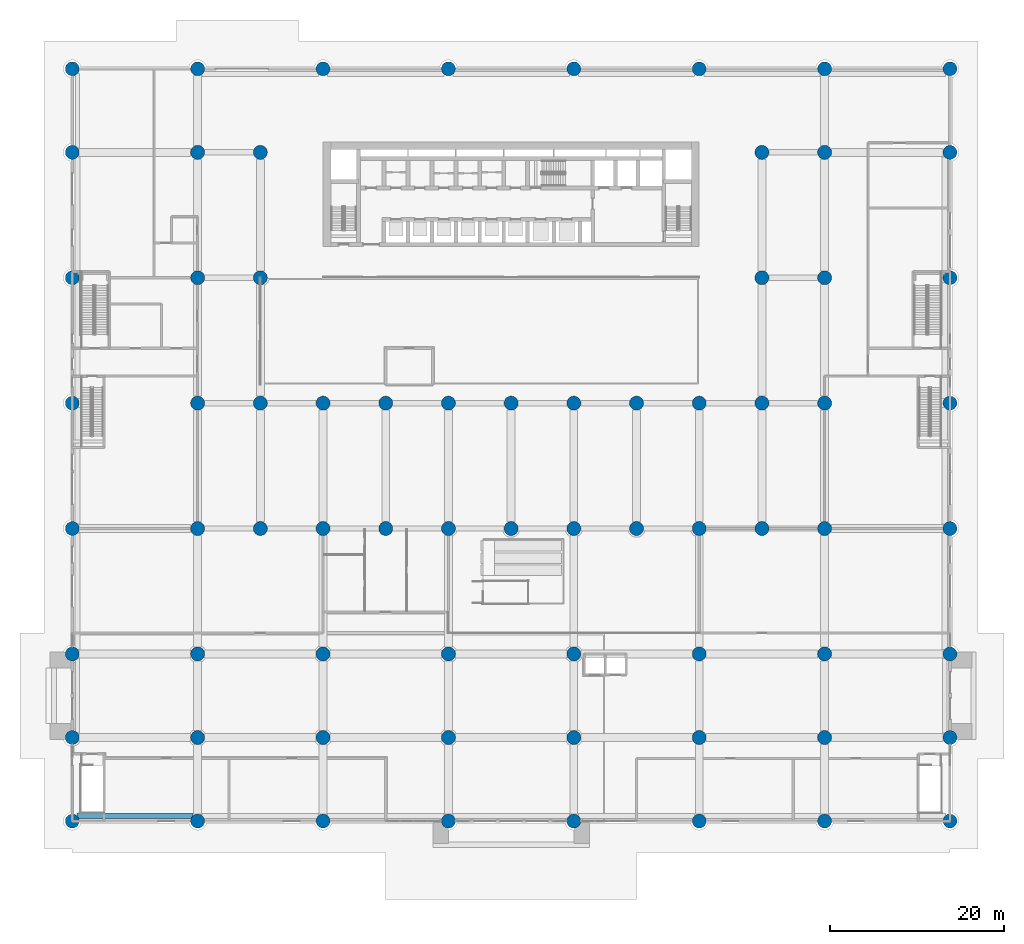
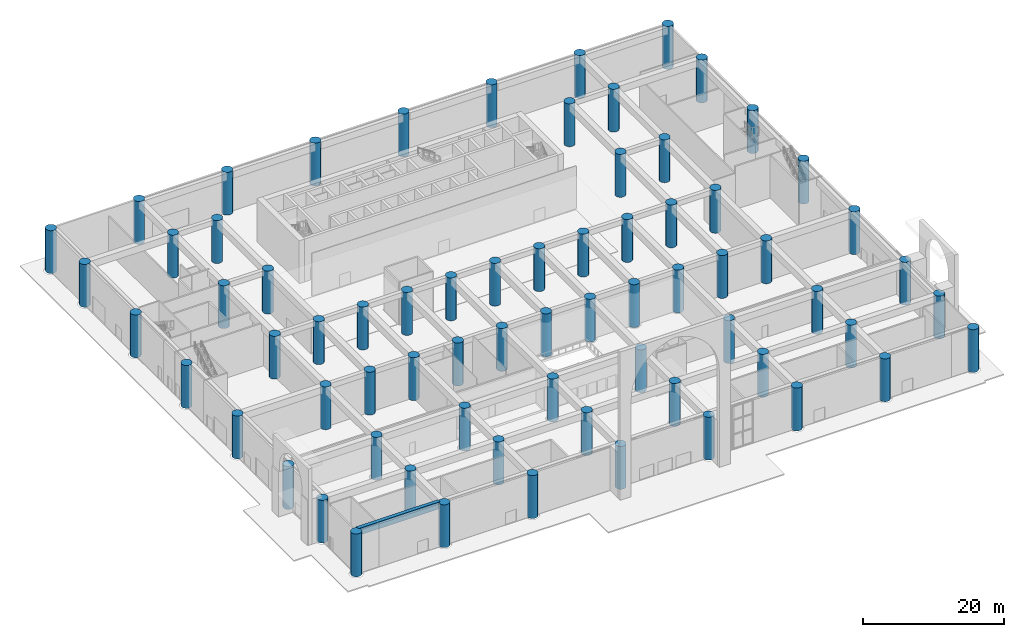
# One storey, part 1 of 32: 70 columns, 1 beam.
"""IFC4 building model written with IfcOpenShell, lengths in metres."""

from ifc_helpers import new_model, si_unit, direction, frame, origin, origin_2d, place, context, subcontext, project, spatial, rectangle, circle, extrude, source, transform, mapped, material, material_profile, profile_set, type_object, element, save


model = new_model("IFC4")

# Units and contexts
model_context = context("Model", 3, precision=1e-05, world=origin(), true_north=direction((0.0, 1.0)))
body_context = subcontext(model_context, "Body", "Model", "MODEL_VIEW")
ifc_project = project(units=[si_unit("LENGTHUNIT", "METRE"), si_unit("AREAUNIT", "SQUARE_METRE"), si_unit("VOLUMEUNIT", "CUBIC_METRE"), si_unit("PLANEANGLEUNIT", "RADIAN"), si_unit("MASSUNIT", "GRAM", prefix="KILO")], contexts=[model_context])

# Site, building, storey
site_placement = place(None, origin())
site = spatial("IfcSite", under=ifc_project, at=site_placement, CompositionType="ELEMENT")
building_placement = place(site_placement, origin())
building = spatial("IfcBuilding", under=site, at=building_placement, Name="Saffron Iwan Residences", CompositionType="ELEMENT")
storey_placement = place(building_placement, origin())
storey = spatial("IfcBuildingStorey", under=building, at=storey_placement, Name="L00", CompositionType="ELEMENT", Elevation=0.0)

# Columns
ifc_material = material(Name="Concrete C50/60", Category="concrete")
ifc_material_profile_1 = material_profile(ifc_material, circle(Radius=0.800048828125, at=origin_2d()), Name="RC D1600")
ifc_profile_set_1 = profile_set([ifc_material_profile_1], Name="Concrete C50/60")
column_type = type_object("IfcColumnType", Name="COL RC D1600 C50/60 7400 HIGH", PredefinedType="COLUMN", material=ifc_profile_set_1)
shared_shape_1 = source(origin(), body_context, "Body", "SweptSolid", [
    extrude(circle(Radius=0.800048828125, at=origin_2d()), origin(), (0.0, 0.0, 1.0), 7.39990234375),
])
for number, where, z_axis, x_axis, name in (
    (1, (0.0, 0.0, 0.0), (0.0, 0.0, 1.0), (1.0, 0.0, 0.0), "Column C001"),
    (2, (14.39990234375, 0.0, 0.0), (0.0, 0.0, 1.0), (1.0, 0.0, 0.0), "Column C002"),
    (3, (28.800048828125, 0.0, 0.0), (0.0, 0.0, 1.0), (1.0, 0.0, 0.0), "Column C003"),
    (4, (43.199951171875, 0.0, 0.0), (0.0, 0.0, 1.0), (1.0, 0.0, 0.0), "Column C004"),
    (5, (57.60009765625, 0.0, 0.0), (0.0, 0.0, 1.0), (1.0, 0.0, 0.0), "Column C005"),
    (6, (72.0, 0.0, 0.0), (0.0, 0.0, 1.0), (1.0, 0.0, 0.0), "Column C006"),
    (7, (86.39990234375, 0.0, 0.0), (0.0, 0.0, 1.0), (1.0, 0.0, 0.0), "Column C007"),
    (8, (100.800048828125, 0.0, 0.0), (0.0, 0.0, 1.0), (1.0, 0.0, 0.0), "Column C008"),
    (9, (0.0, 9.60009765625, 0.0), (0.0, 0.0, 1.0), (1.0, 0.0, 0.0), "Column C009"),
    (10, (14.39990234375, 9.60009765625, 0.0), (0.0, 0.0, 1.0), (1.0, 0.0, 0.0), "Column C010"),
    (11, (28.800048828125, 9.60009765625, 0.0), (0.0, 0.0, 1.0), (1.0, 0.0, 0.0), "Column C011"),
    (12, (43.199951171875, 9.60009765625, 0.0), (0.0, 0.0, 1.0), (1.0, 0.0, 0.0), "Column C012"),
    (13, (57.60009765625, 9.60009765625, 0.0), (0.0, 0.0, 1.0), (1.0, 0.0, 0.0), "Column C013"),
    (14, (72.0, 9.60009765625, 0.0), (0.0, 0.0, 1.0), (1.0, 0.0, 0.0), "Column C014"),
    (15, (86.39990234375, 9.60009765625, 0.0), (0.0, 0.0, 1.0), (1.0, 0.0, 0.0), "Column C015"),
    (16, (100.800048828125, 9.60009765625, 0.0), (0.0, 0.0, 1.0), (1.0, 0.0, 0.0), "Column C016"),
    (17, (0.0, 19.199951171875, 0.0), (0.0, 0.0, 1.0), (1.0, 0.0, 0.0), "Column C017"),
    (18, (14.39990234375, 19.199951171875, 0.0), (0.0, 0.0, 1.0), (1.0, 0.0, 0.0), "Column C018"),
    (19, (28.800048828125, 19.199951171875, 0.0), (0.0, 0.0, 1.0), (1.0, 0.0, 0.0), "Column C019"),
    (20, (43.199951171875, 19.199951171875, 0.0), (0.0, 0.0, 1.0), (1.0, 0.0, 0.0), "Column C020"),
    (21, (57.60009765625, 19.199951171875, 0.0), (0.0, 0.0, 1.0), (1.0, 0.0, 0.0), "Column C021"),
    (22, (72.0, 19.199951171875, 0.0), (0.0, 0.0, 1.0), (1.0, 0.0, 0.0), "Column C022"),
    (23, (86.39990234375, 19.199951171875, 0.0), (0.0, 0.0, 1.0), (1.0, 0.0, 0.0), "Column C023"),
    (24, (100.800048828125, 19.199951171875, 0.0), (0.0, 0.0, 1.0), (1.0, 0.0, 0.0), "Column C024"),
    (25, (0.0, 33.60009765625, 0.0), (0.0, 0.0, 1.0), (1.0, 0.0, 0.0), "Column C025"),
    (26, (14.39990234375, 33.60009765625, 0.0), (0.0, 0.0, 1.0), (1.0, 0.0, 0.0), "Column C026"),
    (27, (21.60009765625, 33.60009765625, 0.0), (0.0, 0.0, 1.0), (1.0, 0.0, 0.0), "Column C027"),
    (28, (28.800048828125, 33.60009765625, 0.0), (0.0, 0.0, 1.0), (1.0, 0.0, 0.0), "Column C028"),
    (29, (36.0, 33.60009765625, 0.0), (0.0, 0.0, 1.0), (1.0, 0.0, 0.0), "Column C029"),
    (30, (43.199951171875, 33.60009765625, 0.0), (0.0, 0.0, 1.0), (1.0, 0.0, 0.0), "Column C030"),
    (31, (50.39990234375, 33.60009765625, 0.0), (0.0, 0.0, 1.0), (1.0, 0.0, 0.0), "Column C031"),
    (32, (57.60009765625, 33.60009765625, 0.0), (0.0, 0.0, 1.0), (1.0, 0.0, 0.0), "Column C032"),
    (33, (64.800048828125, 33.60009765625, 0.0), (0.0, 0.0, 1.0), (1.0, 0.0, 0.0), "Column C033"),
    (34, (72.0, 33.60009765625, 0.0), (0.0, 0.0, 1.0), (1.0, 0.0, 0.0), "Column C034"),
    (35, (79.199951171875, 33.60009765625, 0.0), (0.0, 0.0, 1.0), (1.0, 0.0, 0.0), "Column C035"),
    (36, (86.39990234375, 33.60009765625, 0.0), (0.0, 0.0, 1.0), (1.0, 0.0, 0.0), "Column C036"),
    (37, (100.800048828125, 33.60009765625, 0.0), (0.0, 0.0, 1.0), (1.0, 0.0, 0.0), "Column C037"),
    (38, (0.0, 48.0, 0.0), (0.0, 0.0, 1.0), (1.0, 0.0, 0.0), "Column C059"),
    (39, (14.39990234375, 48.0, 0.0), (0.0, 0.0, 1.0), (1.0, 0.0, 0.0), "Column C060"),
    (40, (21.60009765625, 48.0, 0.0), (0.0, 0.0, 1.0), (1.0, 0.0, 0.0), "Column C063"),
    (41, (28.800048828125, 48.0, 0.0), (0.0, 0.0, 1.0), (1.0, 0.0, 0.0), "Column C064"),
    (42, (36.0, 48.0, 0.0), (0.0, 0.0, 1.0), (1.0, 0.0, 0.0), "Column C065"),
    (43, (43.199951171875, 48.0, 0.0), (0.0, 0.0, 1.0), (1.0, 0.0, 0.0), "Column C066"),
    (44, (50.39990234375, 48.0, 0.0), (0.0, 0.0, 1.0), (1.0, 0.0, 0.0), "Column C067"),
    (45, (57.60009765625, 48.0, 0.0), (0.0, 0.0, 1.0), (1.0, 0.0, 0.0), "Column C068"),
    (46, (64.800048828125, 48.0, 0.0), (0.0, 0.0, 1.0), (1.0, 0.0, 0.0), "Column C069"),
    (47, (72.0, 48.0, 0.0), (0.0, 0.0, 1.0), (1.0, 0.0, 0.0), "Column C071"),
    (48, (79.199951171875, 48.0, 0.0), (0.0, 0.0, 1.0), (1.0, 0.0, 0.0), "Column C072"),
    (49, (86.39990234375, 48.0, 0.0), (0.0, 0.0, 1.0), (1.0, 0.0, 0.0), "Column C075"),
    (50, (100.800048828125, 48.0, 0.0), (0.0, 0.0, 1.0), (1.0, 0.0, 0.0), "Column C076"),
    (51, (0.0, 62.39990234375, 0.0), (0.0, 0.0, 1.0), (1.0, 0.0, 0.0), "Column C087"),
    (52, (14.39990234375, 62.39990234375, 0.0), (0.0, 0.0, 1.0), (1.0, 0.0, 0.0), "Column C088"),
    (53, (21.60009765625, 62.39990234375, 0.0), (0.0, 0.0, 1.0), (1.0, 0.0, 0.0), "Column C091"),
    (54, (79.199951171875, 62.39990234375, 0.0), (0.0, 0.0, 1.0), (1.0, 0.0, 0.0), "Column C092"),
    (55, (86.39990234375, 62.39990234375, 0.0), (0.0, 0.0, 1.0), (1.0, 0.0, 0.0), "Column C095"),
    (56, (100.800048828125, 62.39990234375, 0.0), (0.0, 0.0, 1.0), (1.0, 0.0, 0.0), "Column C096"),
    (57, (0.0, 76.800048828125, 0.0), (0.0, 0.0, 1.0), (1.0, 0.0, 0.0), "Column C103"),
    (58, (14.39990234375, 76.800048828125, 0.0), (0.0, 0.0, 1.0), (1.0, 0.0, 0.0), "Column C104"),
    (59, (21.60009765625, 76.800048828125, 0.0), (0.0, 0.0, 1.0), (1.0, 0.0, 0.0), "Column C107"),
    (60, (79.199951171875, 76.800048828125, 0.0), (0.0, 0.0, 1.0), (1.0, 0.0, 0.0), "Column C108"),
    (61, (86.39990234375, 76.800048828125, 0.0), (0.0, 0.0, 1.0), (1.0, 0.0, 0.0), "Column C111"),
    (62, (100.800048828125, 76.800048828125, 0.0), (0.0, 0.0, 1.0), (1.0, 0.0, 0.0), "Column C112"),
    (63, (0.0, 86.39990234375, 0.0), (0.0, 0.0, 1.0), (1.0, 0.0, 0.0), "Column C124"),
    (64, (14.39990234375, 86.39990234375, 0.0), (0.0, 0.0, 1.0), (1.0, 0.0, 0.0), "Column C125"),
    (65, (28.800048828125, 86.39990234375, 0.0), (0.0, 0.0, 1.0), (1.0, 0.0, 0.0), "Column C126"),
    (66, (43.199951171875, 86.39990234375, 0.0), (0.0, 0.0, 1.0), (1.0, 0.0, 0.0), "Column C127"),
    (67, (57.60009765625, 86.39990234375, 0.0), (0.0, 0.0, 1.0), (1.0, 0.0, 0.0), "Column C128"),
    (68, (72.0, 86.39990234375, 0.0), (0.0, 0.0, 1.0), (1.0, 0.0, 0.0), "Column C129"),
    (69, (86.39990234375, 86.39990234375, 0.0), (0.0, 0.0, 1.0), (1.0, 0.0, 0.0), "Column C130"),
    (70, (100.800048828125, 86.39990234375, 0.0), (0.0, 0.0, 1.0), (1.0, 0.0, 0.0), "Column C131"),
):
    element("IfcColumn", number, at=place(storey_placement, frame(where, z_axis=z_axis, x_axis=x_axis)), inside=storey, type_object=column_type, Name=name, PredefinedType="COLUMN", context=body_context, shape_type="MappedRepresentation", body=[
        mapped(shared_shape_1, transform((0.0, 0.0, 0.0))),
    ])

# Beam
ifc_material_profile_2 = material_profile(ifc_material, rectangle(XDim=0.60009765625, YDim=1.199951171875, at=origin_2d()), Name="RC 600x1200")
ifc_profile_set_2 = profile_set([ifc_material_profile_2], Name="Concrete C50/60")
beam_type = type_object("IfcBeamType", Name="LINTEL BEAM RC 600x1200 C50/60 TOP 7400", PredefinedType="LINTEL", material=ifc_profile_set_2)
shared_shape_2 = source(origin(), body_context, "Body", "SweptSolid", [
    extrude(rectangle(XDim=0.60009765625, YDim=1.199951171875, at=origin_2d()), origin(), (0.0, 0.0, 1.0), 13.352294921875),
])
beam_placement = place(storey_placement, frame((13.876220703125, 0.60009765625, 6.800048828125), z_axis=(-1.0, 0.0, 0.0), x_axis=(0.0, -1.0, 0.0)))
element("IfcBeam", 71, at=beam_placement, inside=storey, type_object=beam_type, Name="Lintel beam over the iwan", PredefinedType="LINTEL", context=body_context, shape_type="MappedRepresentation", body=[
    mapped(shared_shape_2, transform((0.0, 0.0, 0.0))),
])

save(model, "model.ifc")
